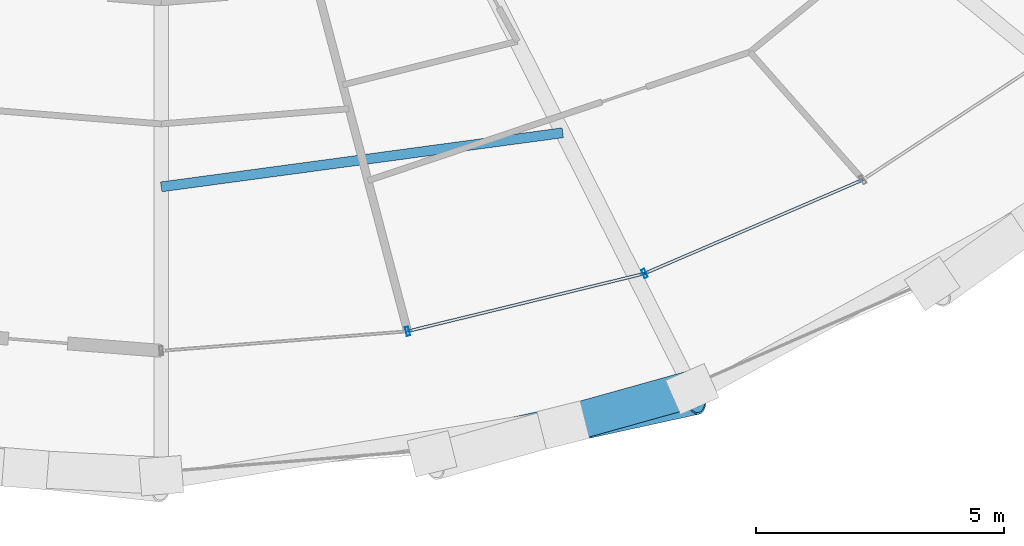
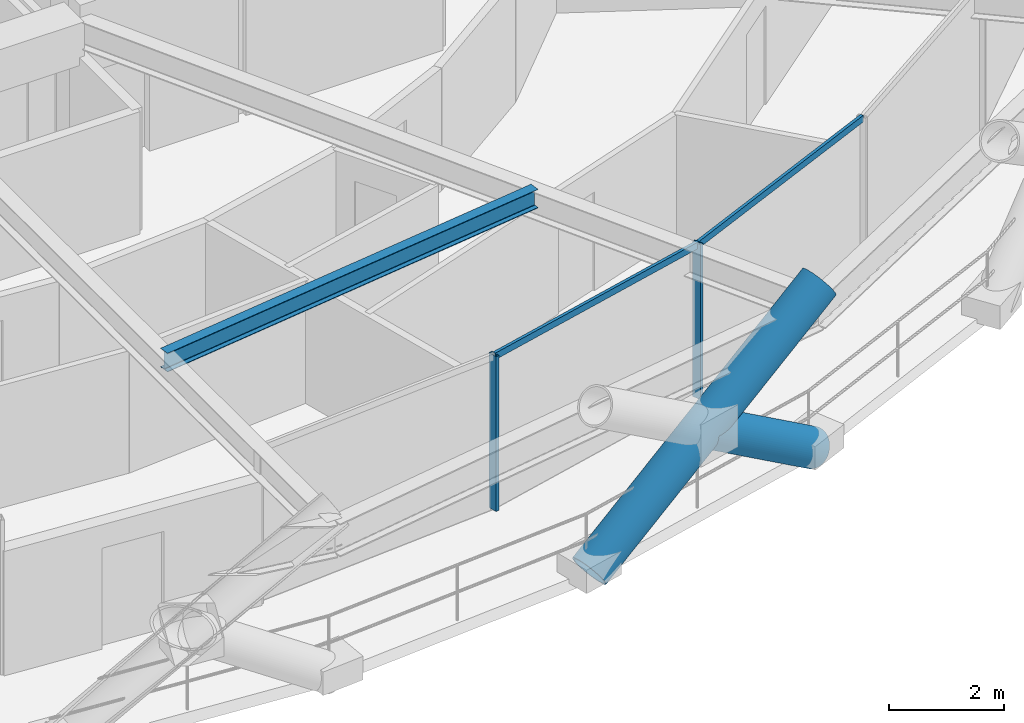
# One storey, part 6 of 18: 6 members, 1 beam, 1 element without a shape of its own.
"""IFC4 building model written with IfcOpenShell, lengths in metres."""

from ifc_helpers import new_model, si_unit, direction, frame, origin, origin_2d, place, context, subcontext, project, spatial, hollow_rectangle, hollow_circle, i_section, extrude, material, layer, layer_set, material_profile, profile_set, type_object, element, aggregate, save


model = new_model("IFC4")

# Units and contexts
model_context = context("Model", 3, precision=1e-05, world=origin(), true_north=direction((0.0, 1.0)))
body_context = subcontext(model_context, "Body", "Model", "MODEL_VIEW")
ifc_project = project(units=[si_unit("LENGTHUNIT", "METRE"), si_unit("AREAUNIT", "SQUARE_METRE"), si_unit("VOLUMEUNIT", "CUBIC_METRE"), si_unit("PLANEANGLEUNIT", "RADIAN"), si_unit("MASSUNIT", "GRAM", prefix="KILO")], contexts=[model_context])

# Site, building, storey
site_placement = place(None, origin())
site = spatial("IfcSite", under=ifc_project, at=site_placement, CompositionType="ELEMENT")
building_placement = place(site_placement, origin())
building = spatial("IfcBuilding", under=site, at=building_placement, Name="Veldorina Hangang Commons", CompositionType="ELEMENT")
storey_placement = place(building_placement, frame((0.0, 0.0, 41.199951171875)))
storey = spatial("IfcBuildingStorey", under=building, at=storey_placement, Name="L09", CompositionType="ELEMENT", Elevation=41.199951171875)

# Beam
ifc_material_1 = material(Name="Steel SM355-TMC", Category="steel")
ifc_material_profile_1 = material_profile(ifc_material_1, i_section(OverallWidth=0.199951171875, OverallDepth=0.39990234375, WebThickness=0.008056640625, FlangeThickness=0.012939453125, FilletRadius=0.012939453125, at=origin_2d()), Name="H-400x200x8x13")
ifc_profile_set_1 = profile_set([ifc_material_profile_1], Name="Steel SM355-TMC")
beam_type = type_object("IfcBeamType", Name="BM-JST400", PredefinedType="JOIST", material=ifc_profile_set_1)
beam_placement = place(storey_placement, frame((32.0, 6.831787109375, 3.14013671875), z_axis=(0.991043790513, 0.133537280509, 0.0), x_axis=(-0.133537280509, 0.991043790513, 0.0)))
element("IfcBeam", 1, at=beam_placement, inside=storey, type_object=beam_type, Name="L09 secondary floor joist 13", PredefinedType="JOIST", context=body_context, shape_type="SweptSolid", body=[
    extrude(i_section(OverallWidth=0.199951171875, OverallDepth=0.39990234375, WebThickness=0.008056640625, FlangeThickness=0.012939453125, FilletRadius=0.012939453125, at=origin_2d()), origin(), (0.0, 0.0, 1.0), 8.17236328125),
])

# Curtain wall, members
ifc_material_2 = material(Name="Glass Low-E Triple IGU", Category="glass")
ifc_layer = layer(ifc_material_2, 0.179931640625)
ifc_layer_set = layer_set([ifc_layer], Name="Glass Low-E Triple IGU")
curtain_wall_type = type_object("IfcCurtainWallType", Name="CW-SYS-Z1", PredefinedType="NOTDEFINED", material=ifc_layer_set)
curtain_wall_placement = place(storey_placement, origin())
curtain_wall = element("IfcCurtainWall", 2, at=curtain_wall_placement, inside=storey, type_object=curtain_wall_type, Name="L09 unitised curtain wall CW-L09-R2", PredefinedType="NOTDEFINED")
ifc_material_3 = material(Name="Aluminium Anodized AA6063-T6", Category="aluminium")
ifc_material_profile_2 = material_profile(ifc_material_3, hollow_rectangle(XDim=0.070068359375, YDim=0.179931640625, WallThickness=0.00390625, at=origin_2d()), Name="ALU-RHS-180x70x4")
ifc_profile_set_2 = profile_set([ifc_material_profile_2], Name="Aluminium Anodized AA6063-T6")
member_type_1 = type_object("IfcMemberType", Name="CW-MUL-180", PredefinedType="MULLION", material=ifc_profile_set_2)
member_1_placement = place(storey_placement, frame((36.969970703125, 3.91796875, 0.0), z_axis=(0.0, 0.0, 1.0), x_axis=(0.971540852195, 0.236872059383, 0.0)))
member_1 = element("IfcMember", 3, at=member_1_placement, type_object=member_type_1, Name="CW-L09-R2 vertical mullion 2", PredefinedType="MULLION", context=body_context, shape_type="SweptSolid", body=[
    extrude(hollow_rectangle(XDim=0.070068359375, YDim=0.179931640625, WallThickness=0.00390625, at=origin_2d()), origin(), (0.0, 0.0, 1.0), 3.300048828125),
])
member_2_placement = place(storey_placement, frame((41.7490234375, 5.083251953125, 0.0), z_axis=(0.0, 0.0, 1.0), x_axis=(0.918804988749, 0.39471178428, 0.0)))
member_2 = element("IfcMember", 4, at=member_2_placement, type_object=member_type_1, Name="CW-L09-R2 vertical mullion 3", PredefinedType="MULLION", context=body_context, shape_type="SweptSolid", body=[
    extrude(hollow_rectangle(XDim=0.070068359375, YDim=0.179931640625, WallThickness=0.00390625, at=origin_2d()), origin(), (0.0, 0.0, 1.0), 3.300048828125),
])
ifc_material_profile_3 = material_profile(ifc_material_3, hollow_rectangle(XDim=0.06005859375, YDim=0.139892578125, WallThickness=0.00341796875, at=origin_2d()), Name="ALU-RHS-140x60x3.5")
ifc_profile_set_3 = profile_set([ifc_material_profile_3], Name="Aluminium Anodized AA6063-T6")
member_type_2 = type_object("IfcMemberType", Name="CW-TRN-140", PredefinedType="USERDEFINED", material=ifc_profile_set_3)
member_3_placement = place(storey_placement, frame((36.969970703125, 3.91796875, 3.260009765625), z_axis=(0.971536220903, 0.236891054016, 0.0), x_axis=(-0.236891054016, 0.971536220903, 0.0)))
member_3 = element("IfcMember", 5, at=member_3_placement, type_object=member_type_2, Name="CW-L09-R2 facet 2 transom 1", ObjectType="TRANSOM", PredefinedType="USERDEFINED", context=body_context, shape_type="SweptSolid", body=[
    extrude(hollow_rectangle(XDim=0.06005859375, YDim=0.139892578125, WallThickness=0.00341796875, at=origin_2d()), origin(), (0.0, 0.0, 1.0), 4.919189453125),
])
member_4_placement = place(storey_placement, frame((41.7490234375, 5.083251953125, 3.260009765625), z_axis=(0.918802212987, 0.394718245601, 0.0), x_axis=(-0.394718245601, 0.918802212987, 0.0)))
member_4 = element("IfcMember", 6, at=member_4_placement, type_object=member_type_2, Name="CW-L09-R2 facet 3 transom 1", ObjectType="TRANSOM", PredefinedType="USERDEFINED", context=body_context, shape_type="SweptSolid", body=[
    extrude(hollow_rectangle(XDim=0.06005859375, YDim=0.139892578125, WallThickness=0.00341796875, at=origin_2d()), origin(), (0.0, 0.0, 1.0), 4.79345703125),
])
aggregate(curtain_wall, [member_1, member_2, member_3, member_4])

# Members
ifc_material_4 = material(Name="Steel SM460-TMC", Category="steel")
ifc_material_profile_4 = material_profile(ifc_material_4, hollow_circle(Radius=0.375, WallThickness=0.035888671875, at=origin_2d()), Name="CHS-750x36")
ifc_profile_set_4 = profile_set([ifc_material_profile_4], Name="Steel SM460-TMC")
member_type_3 = type_object("IfcMemberType", Name="DG-CHS750", PredefinedType="BRACE", material=ifc_profile_set_4)
member_5_placement = place(storey_placement, frame((37.461669921875, 1.446533203125, 0.0), z_axis=(0.814440458314, 0.178619813672, 0.552070377783), x_axis=(-0.214224449231, 0.976784462075, 0.0)))
element("IfcMember", 7, at=member_5_placement, inside=storey, type_object=member_type_3, Name="L09 continuous perimeter diagrid brace 25", PredefinedType="BRACE", context=body_context, shape_type="SweptSolid", body=[
    extrude(hollow_circle(Radius=0.375, WallThickness=0.035888671875, at=origin_2d()), origin(), (0.0, 0.0, 1.0), 6.52099609375),
])
member_6_placement = place(storey_placement, frame((42.71337890625, 2.7548828125, 0.0), z_axis=(-0.802308340317, -0.224200942812, 0.553204541106), x_axis=(0.269134103741, -0.963102712178, 0.0)))
element("IfcMember", 8, at=member_6_placement, inside=storey, type_object=member_type_3, Name="L09 split perimeter diagrid lower brace 26", PredefinedType="BRACE", context=body_context, shape_type="SweptSolid", body=[
    extrude(hollow_circle(Radius=0.375, WallThickness=0.035888671875, at=origin_2d()), origin(), (0.0, 0.0, 1.0), 3.2451171875),
])

save(model, "model.ifc")
